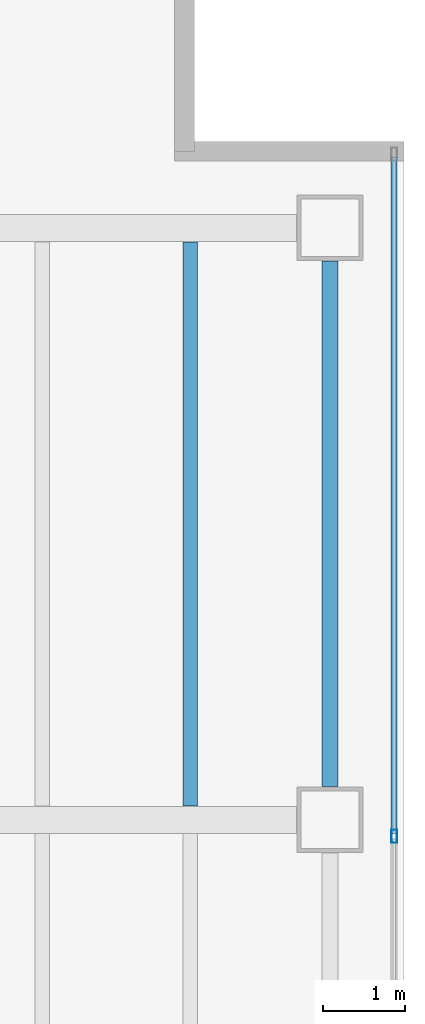
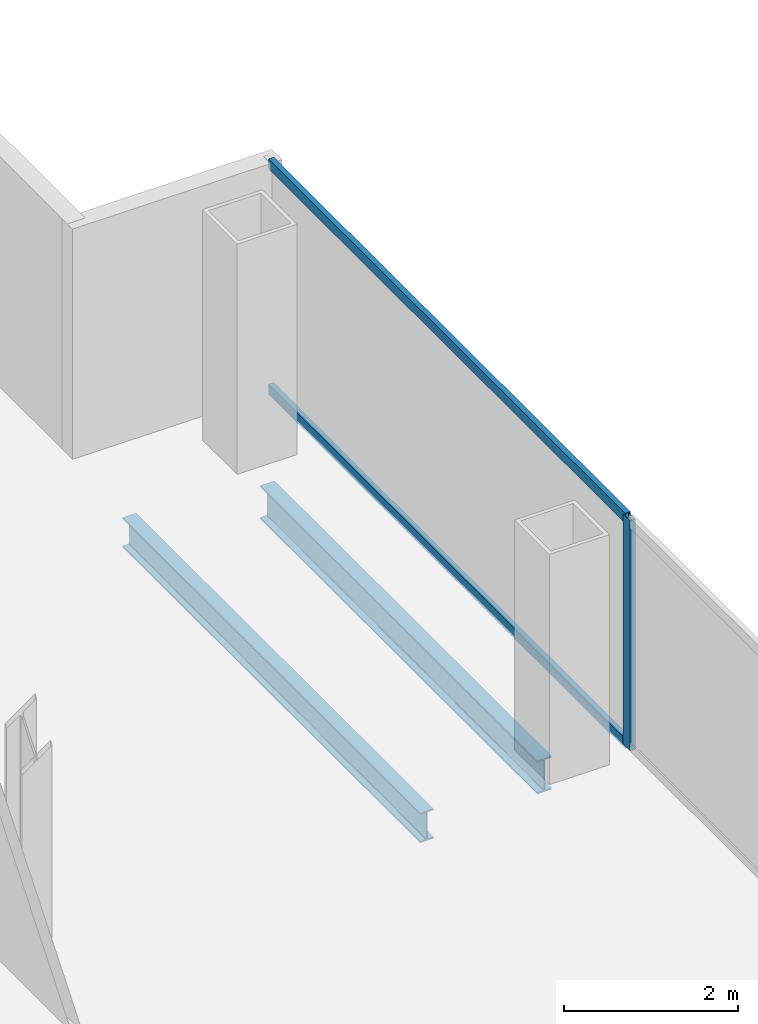
# One storey, part 14 of 23: 3 members, 2 beams, 1 element without a shape of its own.
"""IFC4 building model written with IfcOpenShell, lengths in metres."""

from ifc_helpers import new_model, si_unit, direction, frame, origin, origin_2d, place, context, subcontext, project, spatial, hollow_rectangle, i_section, extrude, material, material_profile, profile_set, type_object, element, aggregate, save


model = new_model("IFC4")

# Units and contexts
model_context = context("Model", 3, precision=1e-05, world=origin(), true_north=direction((0.0, 1.0)))
body_context = subcontext(model_context, "Body", "Model", "MODEL_VIEW")
ifc_project = project(units=[si_unit("LENGTHUNIT", "METRE"), si_unit("AREAUNIT", "SQUARE_METRE"), si_unit("VOLUMEUNIT", "CUBIC_METRE"), si_unit("PLANEANGLEUNIT", "RADIAN"), si_unit("MASSUNIT", "GRAM", prefix="KILO")], contexts=[model_context])

# Site, building, storey
site_placement = place(None, origin())
site = spatial("IfcSite", under=ifc_project, at=site_placement, CompositionType="ELEMENT")
building_placement = place(site_placement, origin())
building = spatial("IfcBuilding", under=site, at=building_placement, Name="Cobrela Telecom Tower", CompositionType="ELEMENT")
storey_placement = place(building_placement, frame((0.0, 0.0, 194.25)))
storey = spatial("IfcBuildingStorey", under=building, at=storey_placement, Name="L49", CompositionType="ELEMENT", Elevation=194.25)

# Beams
ifc_material_1 = material(Name="Steel ASTM A992 Grade 50", Category="steel")
ifc_material_profile_1 = material_profile(ifc_material_1, i_section(OverallWidth=0.179931640625, OverallDepth=0.4169921875, WebThickness=0.010986328125, FlangeThickness=0.01806640625, FilletRadius=0.011962890625, at=origin_2d()), Name="W16X57")
ifc_profile_set_1 = profile_set([ifc_material_profile_1], Name="Steel ASTM A992 Grade 50")
beam_type_1 = type_object("IfcBeamType", Name="BM-JOIST-04", PredefinedType="JOIST", material=ifc_profile_set_1)
beam_1_placement = place(storey_placement, frame((41.39990234375, 14.569091796875, -0.468505859375), z_axis=(0.0, 1.0, 0.0), x_axis=(-1.0, 0.0, 0.0)))
element("IfcBeam", 1, at=beam_1_placement, inside=storey, type_object=beam_type_1, Name="L49 Secondary Composite Floor Beam J30", PredefinedType="JOIST", context=body_context, shape_type="SweptSolid", body=[
    extrude(i_section(OverallWidth=0.179931640625, OverallDepth=0.4169921875, WebThickness=0.010986328125, FlangeThickness=0.01806640625, FilletRadius=0.011962890625, at=origin_2d()), origin(), (0.0, 0.0, 1.0), 6.86181640625),
])
ifc_material_profile_2 = material_profile(ifc_material_1, i_section(OverallWidth=0.193115234375, OverallDepth=0.467041015625, WebThickness=0.011474609375, FlangeThickness=0.01904296875, FilletRadius=0.012939453125, at=origin_2d()), Name="W18X65")
ifc_profile_set_2 = profile_set([ifc_material_profile_2], Name="Steel ASTM A992 Grade 50")
beam_type_2 = type_object("IfcBeamType", Name="BM-SPAND-05", PredefinedType="SPANDREL", material=ifc_profile_set_2)
beam_2_placement = place(storey_placement, frame((43.10009765625, 14.804931640625, -0.493408203125), z_axis=(0.0, 1.0, 0.0), x_axis=(-1.0, 0.0, 0.0)))
element("IfcBeam", 2, at=beam_2_placement, inside=storey, type_object=beam_type_2, Name="L49 Perimeter Spandrel Y43", PredefinedType="SPANDREL", context=body_context, shape_type="SweptSolid", body=[
    extrude(i_section(OverallWidth=0.193115234375, OverallDepth=0.467041015625, WebThickness=0.011474609375, FlangeThickness=0.01904296875, FilletRadius=0.012939453125, at=origin_2d()), origin(), (0.0, 0.0, 1.0), 6.39013671875),
])

# Curtain wall, members
ifc_material_2 = material(Name="Anodized Bronze Aluminium 6063-T6", Category="aluminium")
curtain_wall_type = type_object("IfcCurtainWallType", Name="CW-SYS-OFF-LO", PredefinedType="USERDEFINED", material=ifc_material_2)
curtain_wall_placement = place(storey_placement, origin())
curtain_wall = element("IfcCurtainWall", 3, at=curtain_wall_placement, inside=storey, type_object=curtain_wall_type, Name="L49 Unitised Bronze Curtain Wall 14", ObjectType="UNITISED CURTAIN WALL", PredefinedType="USERDEFINED")
ifc_material_profile_3 = material_profile(ifc_material_2, hollow_rectangle(XDim=0.070068359375, YDim=0.159912109375, WallThickness=0.00390625, at=origin_2d()), Name="ALU 70x160x4")
ifc_profile_set_3 = profile_set([ifc_material_profile_3], Name="Anodized Bronze Aluminium 6063-T6")
member_type_1 = type_object("IfcMemberType", Name="CW-SYS-OFF-LO-MUL", PredefinedType="MULLION", material=ifc_profile_set_3)
member_1_placement = place(storey_placement, frame((43.8798828125, 14.199951171875, 0.0), z_axis=(0.0, 0.0, 1.0), x_axis=(1.0, 0.0, 0.0)))
member_1 = element("IfcMember", 4, at=member_1_placement, type_object=member_type_1, Name="CW-OFF-LO mullion 2", PredefinedType="MULLION", context=body_context, shape_type="SweptSolid", body=[
    extrude(hollow_rectangle(XDim=0.070068359375, YDim=0.159912109375, WallThickness=0.00390625, at=origin_2d()), origin(), (0.0, 0.0, 1.0), 3.239990234375),
])
ifc_material_profile_4 = material_profile(ifc_material_2, hollow_rectangle(XDim=0.070068359375, YDim=0.139892578125, WallThickness=0.00390625, at=origin_2d()), Name="ALU 70x140x4")
ifc_profile_set_4 = profile_set([ifc_material_profile_4], Name="Anodized Bronze Aluminium 6063-T6")
member_type_2 = type_object("IfcMemberType", Name="CW-SYS-OFF-LO-TRN", PredefinedType="USERDEFINED", material=ifc_profile_set_4)
member_2_placement = place(storey_placement, frame((43.8798828125, 22.4599609375, 0.034912109375), z_axis=(0.0, -1.0, 0.0), x_axis=(1.0, 0.0, 0.0)))
member_2 = element("IfcMember", 5, at=member_2_placement, type_object=member_type_2, Name="CW-OFF-LO transom 1.1", ObjectType="TRANSOM", PredefinedType="USERDEFINED", context=body_context, shape_type="SweptSolid", body=[
    extrude(hollow_rectangle(XDim=0.070068359375, YDim=0.139892578125, WallThickness=0.00390625, at=origin_2d()), origin(), (0.0, 0.0, 1.0), 8.224853515625),
])
member_3_placement = place(storey_placement, frame((43.8798828125, 22.4599609375, 3.205078125), z_axis=(0.0, -1.0, 0.0), x_axis=(1.0, 0.0, 0.0)))
member_3 = element("IfcMember", 6, at=member_3_placement, type_object=member_type_2, Name="CW-OFF-LO transom 1.2", ObjectType="TRANSOM", PredefinedType="USERDEFINED", context=body_context, shape_type="SweptSolid", body=[
    extrude(hollow_rectangle(XDim=0.070068359375, YDim=0.139892578125, WallThickness=0.00390625, at=origin_2d()), origin(), (0.0, 0.0, 1.0), 8.224853515625),
])
aggregate(curtain_wall, [member_1, member_2, member_3])

save(model, "model.ifc")
